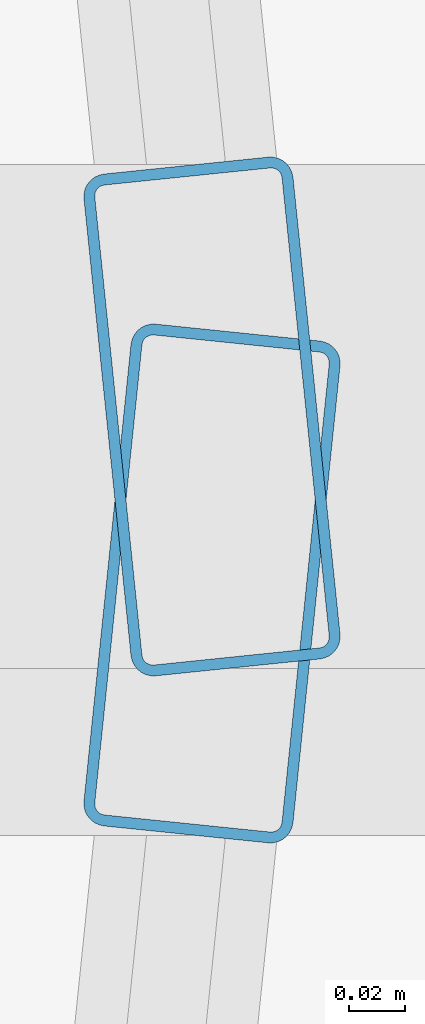
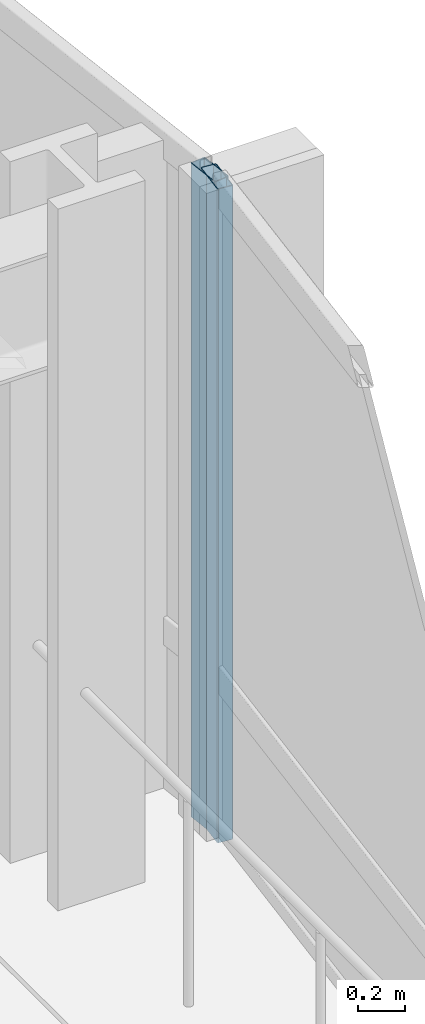
# One storey, part 25 of 34: 2 members, 2 elements without a shape of their own.
"""IFC4 building model written with IfcOpenShell, lengths in metres."""

from ifc_helpers import new_model, si_unit, direction, frame, origin, origin_2d, place, context, subcontext, project, spatial, hollow_rectangle, extrude, material, layer, layer_set, material_profile, profile_set, type_object, element, aggregate, save


model = new_model("IFC4")

# Units and contexts
model_context = context("Model", 3, precision=1e-05, world=origin(), true_north=direction((0.0, 1.0)))
body_context = subcontext(model_context, "Body", "Model", "MODEL_VIEW")
ifc_project = project(units=[si_unit("LENGTHUNIT", "METRE"), si_unit("AREAUNIT", "SQUARE_METRE"), si_unit("VOLUMEUNIT", "CUBIC_METRE"), si_unit("PLANEANGLEUNIT", "RADIAN"), si_unit("MASSUNIT", "GRAM", prefix="KILO")], contexts=[model_context])

# Site, building, storey
site_placement = place(None, origin())
site = spatial("IfcSite", under=ifc_project, at=site_placement, CompositionType="ELEMENT")
building_placement = place(site_placement, origin())
building = spatial("IfcBuilding", under=site, at=building_placement, Name="Solvaryn Broadcast Tower", CompositionType="ELEMENT")
storey_placement = place(building_placement, frame((0.0, 0.0, 61.89990234375)))
storey = spatial("IfcBuildingStorey", under=building, at=storey_placement, Name="L14", CompositionType="ELEMENT", Elevation=61.89990234375)

# Curtain wall, member
ifc_material_1 = material(Name="Aluminium and Terracotta Unitised Curtain Wall", Category="masonry")
ifc_layer = layer(ifc_material_1, 0.199951171875)
ifc_layer_set = layer_set([ifc_layer], Name="CW-SYS2-LOWMID")
curtain_wall_type = type_object("IfcCurtainWallType", Name="CW-SYS2-LOWMID", PredefinedType="NOTDEFINED", material=ifc_layer_set)
curtain_wall_1_placement = place(storey_placement, origin())
curtain_wall_1 = element("IfcCurtainWall", 1, at=curtain_wall_1_placement, inside=storey, type_object=curtain_wall_type, Name="L14 Curtain Wall ET1", PredefinedType="NOTDEFINED")
ifc_material_2 = material(Name="Anodised Aluminium 6063-T6", Category="aluminium")
ifc_material_profile = material_profile(ifc_material_2, hollow_rectangle(XDim=0.074951171875, YDim=0.179931640625, WallThickness=0.00390625, InnerFilletRadius=0.00390625, OuterFilletRadius=0.008056640625, at=origin_2d()))
ifc_profile_set = profile_set([ifc_material_profile], Name="Anodised Aluminium 6063-T6")
member_type = type_object("IfcMemberType", Name="CW-MUL-180", PredefinedType="MULLION", material=ifc_profile_set)
member_1_placement = place(storey_placement, frame((63.697021484375, 18.02978515625, 0.0), z_axis=(0.0, 0.0, 1.0), x_axis=(0.99474329889, 0.10240004548, 0.0)))
member_1 = element("IfcMember", 2, at=member_1_placement, type_object=member_type, Name="CWS2 mullion 2", PredefinedType="MULLION", context=body_context, shape_type="SweptSolid", body=[
    extrude(hollow_rectangle(XDim=0.074951171875, YDim=0.179931640625, WallThickness=0.00390625, InnerFilletRadius=0.00390625, OuterFilletRadius=0.008056640625, at=origin_2d()), origin(), (0.0, 0.0, 1.0), 3.420166015625),
])
aggregate(curtain_wall_1, [member_1])

curtain_wall_2_placement = place(storey_placement, origin())
curtain_wall_2 = element("IfcCurtainWall", 3, at=curtain_wall_2_placement, inside=storey, type_object=curtain_wall_type, Name="L14 Curtain Wall ET2", PredefinedType="NOTDEFINED")
member_2_placement = place(storey_placement, frame((63.697021484375, 17.97021484375, 0.0), z_axis=(0.0, 0.0, 1.0), x_axis=(0.99474329889, -0.10240004548, 0.0)))
member_2 = element("IfcMember", 4, at=member_2_placement, type_object=member_type, Name="CWS2 mullion 1", PredefinedType="MULLION", context=body_context, shape_type="SweptSolid", body=[
    extrude(hollow_rectangle(XDim=0.074951171875, YDim=0.179931640625, WallThickness=0.00390625, InnerFilletRadius=0.00390625, OuterFilletRadius=0.008056640625, at=origin_2d()), origin(), (0.0, 0.0, 1.0), 3.420166015625),
])
aggregate(curtain_wall_2, [member_2])

save(model, "model.ifc")
